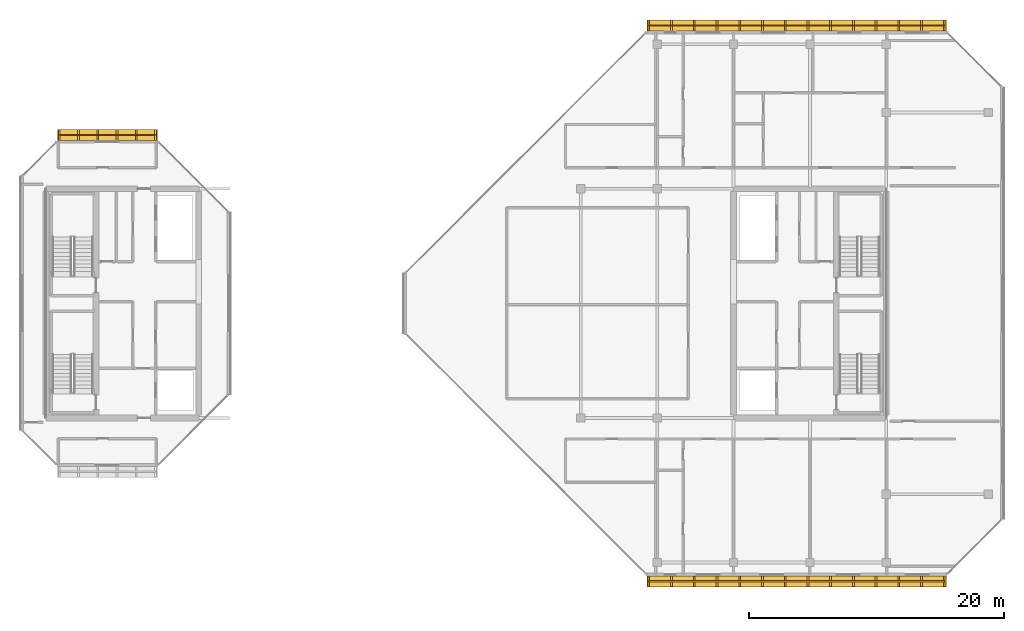
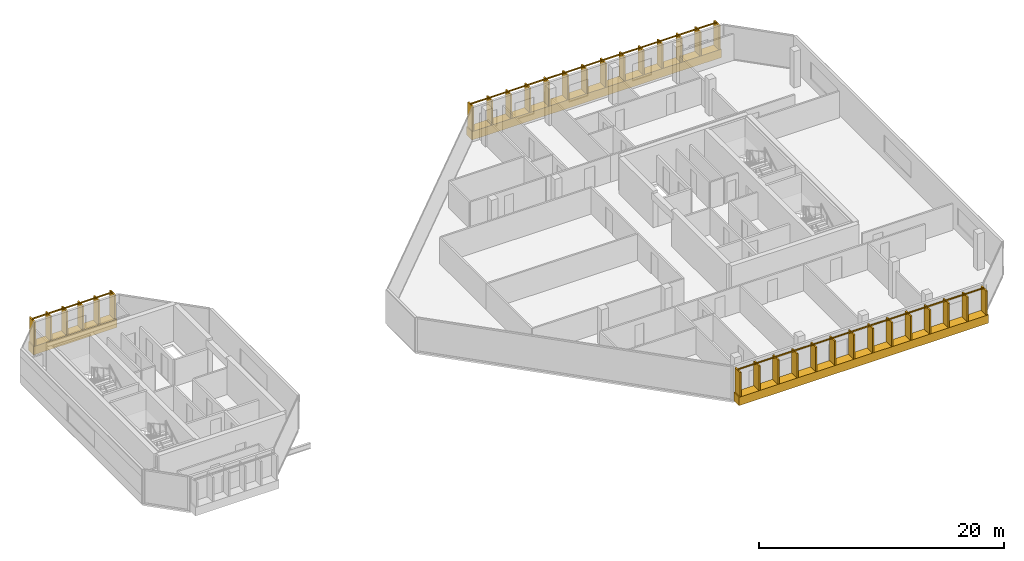
# One storey, part 27 of 28: 3 coverings, 3 railings.
"""IFC4 building model written with IfcOpenShell, lengths in metres."""

import ifcopenshell
import ifcopenshell.guid

model = None  # the IFC model being written
_history = None  # IfcOwnerHistory: only IFC2X3 demands one
_inside = {}  # id of a spatial element -> (the spatial element, [elements in it])
_under = {}  # id of a project, library or spatial element -> (it, [spatial elements below it])
_declared = {}  # id of a project -> (the project, [libraries it declares])
_typed = {}  # id of a type object -> (the type object, [elements of that type])
_made_of = {}  # id of a material, layer set ... -> (it, [elements and type objects made of it])


def new_model(schema):
    """Start an empty IFC model of exactly this schema.

    Asked for "IFC4X3", IfcOpenShell would pick the latest addendum, in which some entities
    have other attributes; the version numbers below select the first issue.
    IFC2X3 requires an IfcOwnerHistory on every rooted entity: one is made here for all.
    """
    global model, _history
    if schema == "IFC4X3":
        model = ifcopenshell.file(schema_version=(4, 3, 0, 0))
    else:
        model = ifcopenshell.file(schema=schema)
    _inside.clear()
    _under.clear()
    _declared.clear()
    _typed.clear()
    _made_of.clear()
    _history = None
    if model.schema == "IFC2X3":
        org = make("IfcOrganization", Name="unknown")
        user = make(
            "IfcPersonAndOrganization",
            ThePerson=make("IfcPerson", FamilyName="unknown"),
            TheOrganization=org,
        )
        app = make(
            "IfcApplication",
            ApplicationDeveloper=org,
            Version="unknown",
            ApplicationFullName="unknown",
            ApplicationIdentifier="unknown",
        )
        _history = make(
            "IfcOwnerHistory",
            OwningUser=user,
            OwningApplication=app,
            ChangeAction="ADDED",
            CreationDate=0,
        )
    return model


def make(cls, **values):
    """One entity of the class cls with the attributes given. An attribute that is None is left unset."""
    return model.create_entity(
        cls, **{name: value for name, value in values.items() if value is not None}
    )


def rooted(cls, **values):
    """An entity with a GlobalId (a new one), such as an element, a storey or a relation."""
    return make(cls, GlobalId=ifcopenshell.guid.new(), OwnerHistory=_history, **values)


def si_unit(unit_type, name, prefix=None):
    """IfcSIUnit, for example si_unit("LENGTHUNIT", "METRE", prefix="MILLI")."""
    return make("IfcSIUnit", UnitType=unit_type, Prefix=prefix, Name=name)


def assignment(units):
    """IfcUnitAssignment: the units of a project."""
    return None if units is None else make("IfcUnitAssignment", Units=units)


def point(xyz):
    """IfcCartesianPoint."""
    return None if xyz is None else make("IfcCartesianPoint", Coordinates=xyz)


def direction(xyz):
    """IfcDirection."""
    return None if xyz is None else make("IfcDirection", DirectionRatios=xyz)


def frame(location, z_axis=None, x_axis=None):
    """IfcAxis2Placement3D, a coordinate frame: its origin and axes. An axis left out is left unset."""
    return make(
        "IfcAxis2Placement3D",
        Location=point(location),
        Axis=direction(z_axis),
        RefDirection=direction(x_axis),
    )


def frame_2d(location, x_axis=None):
    """IfcAxis2Placement2D, a coordinate frame in the plane: its origin and x axis."""
    return make(
        "IfcAxis2Placement2D", Location=point(location), RefDirection=direction(x_axis)
    )


def origin():
    """The frame at (0, 0, 0) with its axes left unset."""
    return frame((0.0, 0.0, 0.0))


def origin_2d():
    """The frame at (0, 0) in the plane with its x axis left unset."""
    return frame_2d((0.0, 0.0))


def place(relative_to, where):
    """IfcLocalPlacement: puts the frame where relative to a parent placement (None: the world)."""
    return make(
        "IfcLocalPlacement", PlacementRelTo=relative_to, RelativePlacement=where
    )


def context(
    kind, dimensions, precision=None, world=None, true_north=None, identifier=None
):
    """IfcGeometricRepresentationContext, for example the 3D "Model" context."""
    return make(
        "IfcGeometricRepresentationContext",
        ContextIdentifier=identifier,
        ContextType=kind,
        CoordinateSpaceDimension=dimensions,
        Precision=precision,
        WorldCoordinateSystem=world,
        TrueNorth=true_north,
    )


def subcontext(parent, identifier, kind, view, scale=None):
    """IfcGeometricRepresentationSubContext, for example "Body" below "Model"."""
    return make(
        "IfcGeometricRepresentationSubContext",
        ContextIdentifier=identifier,
        ContextType=kind,
        ParentContext=parent,
        TargetScale=scale,
        TargetView=view,
    )


def project(units=None, contexts=None):
    """IfcProject with its units and contexts."""
    return rooted(
        "IfcProject",
        Name="project",
        RepresentationContexts=contexts,
        UnitsInContext=assignment(units),
    )


def spatial(cls, under=None, at=None, **own):
    """A site, building, storey or space (cls), placed at a placement, below another one or the project."""
    s = rooted(cls, ObjectPlacement=at, **own)
    if under is not None:
        _under.setdefault(under.id(), (under, []))[1].append(s)
    return s


def profile(cls, at=None, kind="AREA", **sizes):
    """A parametric profile (cls). Its sizes go by their IFC names, for example OverallWidth=200.0."""
    return make(cls, ProfileType=kind, Position=at, **sizes)


def rectangle(**sizes):
    """IfcRectangleProfileDef."""
    return profile("IfcRectangleProfileDef", **sizes)


def extrude(swept, where, along, depth):
    """IfcExtrudedAreaSolid: the profile swept, set in the frame where, extruded along a direction by depth."""
    return make(
        "IfcExtrudedAreaSolid",
        SweptArea=swept,
        Position=where,
        ExtrudedDirection=direction(along),
        Depth=depth,
    )


def shape(context_of_items, identifier, shape_type, items):
    """IfcShapeRepresentation: the items that make up one representation, for example the "Body"."""
    return make(
        "IfcShapeRepresentation",
        ContextOfItems=context_of_items,
        RepresentationIdentifier=identifier,
        RepresentationType=shape_type,
        Items=items,
    )


def material(Name=None, Category=None):
    """IfcMaterial."""
    return make("IfcMaterial", Name=Name, Category=Category)


def layer(
    of_material, thickness, ventilated=None, Name=None, Category=None, Priority=None
):
    """IfcMaterialLayer: one layer of a wall or slab, of a material (None: an air gap)."""
    return make(
        "IfcMaterialLayer",
        Material=of_material,
        LayerThickness=thickness,
        IsVentilated=ventilated,
        Name=Name,
        Category=Category,
        Priority=Priority,
    )


def layer_set(layers, Name=None):
    """IfcMaterialLayerSet."""
    return make("IfcMaterialLayerSet", MaterialLayers=layers, LayerSetName=Name)


def made_of(thing, what):
    """Note that an element or type object is made of a material, layer set ...; save() writes the relation."""
    if what is not None:
        _made_of.setdefault(what.id(), (what, []))[1].append(thing)
    return thing


def type_object(cls, material=None, **own):
    """A type object (cls), such as IfcWallType, which elements share."""
    return made_of(rooted(cls, **own), material)


def element(
    cls,
    number,
    at=None,
    inside=None,
    cuts=None,
    type_object=None,
    material=None,
    context=None,
    identifier="Body",
    shape_type=None,
    held_by="IfcProductDefinitionShape",
    body=None,
    shapes=None,
    **own,
):
    """One element of the class cls, such as IfcWall. Its Tag is "e" and its number.

    at: its placement. inside: the storey or other place that contains it. cuts: it is an
    opening in that element (IfcRelVoidsElement). A single representation is given by context,
    identifier, shape_type and body (its items); several are given by shapes. held_by: the class
    of the entity that holds the representations. save() writes the other relations.
    """
    e = rooted(cls, Tag="e%d" % number, ObjectPlacement=at, **own)
    if body is not None:
        shapes = [shape(context, identifier, shape_type, body)]
    if shapes is not None:
        e.Representation = make(held_by, Representations=shapes)
    if inside is not None:
        _inside.setdefault(inside.id(), (inside, []))[1].append(e)
    if cuts is not None:
        rooted(
            "IfcRelVoidsElement", RelatingBuildingElement=cuts, RelatedOpeningElement=e
        )
    if type_object is not None:
        _typed.setdefault(type_object.id(), (type_object, []))[1].append(e)
    return made_of(e, material)


def aggregate(whole, parts):
    """IfcRelAggregates: a whole, such as a stair, and the parts it consists of."""
    return rooted("IfcRelAggregates", RelatingObject=whole, RelatedObjects=parts)


def save(model, path):
    """Write the relations noted so far, then the file.

    IfcRelAggregates (storeys below a building ...), IfcRelContainedInSpatialStructure (elements
    in a storey), IfcRelDefinesByType, IfcRelAssociatesMaterial and IfcRelDeclares: one each for
    every whole, place, type object, material and project.
    """
    for whole, parts in _under.values():
        aggregate(whole, parts)
    for where, things in _inside.values():
        rooted(
            "IfcRelContainedInSpatialStructure",
            RelatedElements=things,
            RelatingStructure=where,
        )
    for kind, things in _typed.values():
        rooted("IfcRelDefinesByType", RelatedObjects=things, RelatingType=kind)
    for what, things in _made_of.values():
        rooted("IfcRelAssociatesMaterial", RelatedObjects=things, RelatingMaterial=what)
    for by, libraries in _declared.values():
        rooted("IfcRelDeclares", RelatingContext=by, RelatedDefinitions=libraries)
    model.write(path)


model = new_model("IFC4")

# Units and contexts
model_context = context("Model", 3, precision=1e-05, world=origin(), true_north=direction((0.0, 1.0)))
body_context = subcontext(model_context, "Body", "Model", "MODEL_VIEW")
ifc_project = project(units=[si_unit("LENGTHUNIT", "METRE"), si_unit("AREAUNIT", "SQUARE_METRE"), si_unit("VOLUMEUNIT", "CUBIC_METRE"), si_unit("PLANEANGLEUNIT", "RADIAN"), si_unit("MASSUNIT", "GRAM", prefix="KILO")], contexts=[model_context])

# Site, building, storey
site_placement = place(None, origin())
site = spatial("IfcSite", under=ifc_project, at=site_placement, CompositionType="ELEMENT")
building_placement = place(site_placement, origin())
building = spatial("IfcBuilding", under=site, at=building_placement, Name="Tanjung Sevakor Pilgrim Tower", CompositionType="ELEMENT")
storey_placement = place(building_placement, frame((0.0, 0.0, 242.550048828125)))
storey = spatial("IfcBuildingStorey", under=building, at=storey_placement, Name="L68", CompositionType="ELEMENT", Elevation=242.550048828125)

# Coverings
ifc_material_1 = material(Name="Reconstructed Limestone Cladding", Category="masonry")
ifc_layer = layer(ifc_material_1, 0.044921875)
ifc_layer_set = layer_set([ifc_layer], Name="COV-CLAD-LIMESTONE")
covering_type = type_object("IfcCoveringType", Name="COV-CLAD-LIMESTONE", PredefinedType="CLADDING", material=ifc_layer_set)
covering_placement = place(storey_placement, frame((28.824951171875, 46.830078125, 0.009765625), z_axis=(0.0, 0.0, 1.0), x_axis=(-1.0, 0.0, 0.0)))
element("IfcCovering", 1, at=covering_placement, inside=storey, type_object=covering_type, Name="L68 Warm Limestone Sill Spandrel EW-L68-WEST-5-1", PredefinedType="CLADDING", context=body_context, shape_type="SweptSolid", body=[
    extrude(rectangle(XDim=7.87890625, YDim=0.860107421875, at=origin_2d()), origin(), (0.0, 0.0, 1.0), 0.840087890625),
])
for number, where, z_axis, x_axis, name in (
    (2, (82.949951171875, 11.77001953125, 0.009765625), (0.0, 0.0, 1.0), (1.0, 0.0, 0.0), "L68 Warm Limestone Sill Spandrel EW-L68-EAST-1-1"),
    (3, (82.949951171875, 55.429931640625, 0.009765625), (0.0, 0.0, 1.0), (-1.0, 0.0, 0.0), "L68 Warm Limestone Sill Spandrel EW-L68-EAST-5-1"),
):
    element("IfcCovering", number, at=place(storey_placement, frame(where, z_axis=z_axis, x_axis=x_axis)), inside=storey, type_object=covering_type, Name=name, PredefinedType="CLADDING", context=body_context, shape_type="SweptSolid", body=[
        extrude(rectangle(XDim=23.52880859375, YDim=0.860107421875, at=origin_2d()), origin(), (0.0, 0.0, 1.0), 0.840087890625),
    ])

# Railings
ifc_material_2 = material(Name="Anodised Bronze Aluminium 6063-T6", Category="aluminium")
railing_type = type_object("IfcRailingType", Name="RL-FIN-SCREEN", PredefinedType="BALUSTRADE", material=ifc_material_2)
railing_1_placement = place(storey_placement, frame((32.6044921875, 46.824951171875, 0.83984375)))
element("IfcRailing", 4, at=railing_1_placement, inside=storey, type_object=railing_type, Name="L68 Vertical Bronze-Gold Solar Fin Screen FNSCR-EW-L68-WEST-5-1", PredefinedType="BALUSTRADE", context=body_context, shape_type="SweptSolid", body=[
    extrude(rectangle(XDim=0.105, YDim=0.105), frame((0.0, 0.0, 2.487548828125), z_axis=(-1.0, 0.0, 0.0), x_axis=(0.0, -1.0, 0.0)), (0.0, 0.0, 1.0), 7.558837890625),
    extrude(rectangle(XDim=0.14, YDim=0.85), origin(), (0.0, 0.0, 1.0), 2.43505859375),
    extrude(rectangle(XDim=0.14, YDim=0.85), frame((-1.51171875, 0.0, 0.0)), (0.0, 0.0, 1.0), 2.43505859375),
    extrude(rectangle(XDim=0.14, YDim=0.85), frame((-3.0234375, 0.0, 0.0)), (0.0, 0.0, 1.0), 2.43505859375),
    extrude(rectangle(XDim=0.14, YDim=0.85), frame((-4.535400390625, 0.0, 0.0)), (0.0, 0.0, 1.0), 2.43505859375),
    extrude(rectangle(XDim=0.14, YDim=0.85), frame((-6.047119140625, 0.0, 0.0)), (0.0, 0.0, 1.0), 2.43505859375),
    extrude(rectangle(XDim=0.14, YDim=0.85), frame((-7.558837890625, 0.0, 0.0)), (0.0, 0.0, 1.0), 2.43505859375),
])
railing_2_placement = place(storey_placement, frame((71.345703125, 11.77490234375, 0.83984375)))
element("IfcRailing", 5, at=railing_2_placement, inside=storey, type_object=railing_type, Name="L68 Vertical Bronze-Gold Solar Fin Screen FNSCR-EW-L68-EAST-1-1", PredefinedType="BALUSTRADE", context=body_context, shape_type="SweptSolid", body=[
    extrude(rectangle(XDim=0.105, YDim=0.105), frame((0.0, 0.0, 2.487548828125), z_axis=(1.0, 0.0, 0.0), x_axis=(0.0, 1.0, 0.0)), (0.0, 0.0, 1.0), 23.208740234375),
    extrude(rectangle(XDim=0.14, YDim=0.85), origin(), (0.0, 0.0, 1.0), 2.43505859375),
    extrude(rectangle(XDim=0.14, YDim=0.85), frame((1.785400390625, 0.0, 0.0)), (0.0, 0.0, 1.0), 2.43505859375),
    extrude(rectangle(XDim=0.14, YDim=0.85), frame((3.570556640625, 0.0, 0.0)), (0.0, 0.0, 1.0), 2.43505859375),
    extrude(rectangle(XDim=0.14, YDim=0.85), frame((5.35595703125, 0.0, 0.0)), (0.0, 0.0, 1.0), 2.43505859375),
    extrude(rectangle(XDim=0.14, YDim=0.85), frame((7.14111328125, 0.0, 0.0)), (0.0, 0.0, 1.0), 2.43505859375),
    extrude(rectangle(XDim=0.14, YDim=0.85), frame((8.926513671875, 0.0, 0.0)), (0.0, 0.0, 1.0), 2.43505859375),
    extrude(rectangle(XDim=0.14, YDim=0.85), frame((10.711669921875, 0.0, 0.0)), (0.0, 0.0, 1.0), 2.43505859375),
    extrude(rectangle(XDim=0.14, YDim=0.85), frame((12.4970703125, 0.0, 0.0)), (0.0, 0.0, 1.0), 2.43505859375),
    extrude(rectangle(XDim=0.14, YDim=0.85), frame((14.2822265625, 0.0, 0.0)), (0.0, 0.0, 1.0), 2.43505859375),
    extrude(rectangle(XDim=0.14, YDim=0.85), frame((16.067626953125, 0.0, 0.0)), (0.0, 0.0, 1.0), 2.43505859375),
    extrude(rectangle(XDim=0.14, YDim=0.85), frame((17.852783203125, 0.0, 0.0)), (0.0, 0.0, 1.0), 2.43505859375),
    extrude(rectangle(XDim=0.14, YDim=0.85), frame((19.63818359375, 0.0, 0.0)), (0.0, 0.0, 1.0), 2.43505859375),
    extrude(rectangle(XDim=0.14, YDim=0.85), frame((21.42333984375, 0.0, 0.0)), (0.0, 0.0, 1.0), 2.43505859375),
    extrude(rectangle(XDim=0.14, YDim=0.85), frame((23.208740234375, 0.0, 0.0)), (0.0, 0.0, 1.0), 2.43505859375),
])
railing_3_placement = place(storey_placement, frame((94.554443359375, 55.425048828125, 0.83984375)))
element("IfcRailing", 6, at=railing_3_placement, inside=storey, type_object=railing_type, Name="L68 Vertical Bronze-Gold Solar Fin Screen FNSCR-EW-L68-EAST-5-1", PredefinedType="BALUSTRADE", context=body_context, shape_type="SweptSolid", body=[
    extrude(rectangle(XDim=0.105, YDim=0.105), frame((0.0, 0.0, 2.487548828125), z_axis=(-1.0, 0.0, 0.0), x_axis=(0.0, -1.0, 0.0)), (0.0, 0.0, 1.0), 23.208740234375),
    extrude(rectangle(XDim=0.14, YDim=0.85), origin(), (0.0, 0.0, 1.0), 2.43505859375),
    extrude(rectangle(XDim=0.14, YDim=0.85), frame((-1.785400390625, 0.0, 0.0)), (0.0, 0.0, 1.0), 2.43505859375),
    extrude(rectangle(XDim=0.14, YDim=0.85), frame((-3.570556640625, 0.0, 0.0)), (0.0, 0.0, 1.0), 2.43505859375),
    extrude(rectangle(XDim=0.14, YDim=0.85), frame((-5.35595703125, 0.0, 0.0)), (0.0, 0.0, 1.0), 2.43505859375),
    extrude(rectangle(XDim=0.14, YDim=0.85), frame((-7.14111328125, 0.0, 0.0)), (0.0, 0.0, 1.0), 2.43505859375),
    extrude(rectangle(XDim=0.14, YDim=0.85), frame((-8.926513671875, 0.0, 0.0)), (0.0, 0.0, 1.0), 2.43505859375),
    extrude(rectangle(XDim=0.14, YDim=0.85), frame((-10.711669921875, 0.0, 0.0)), (0.0, 0.0, 1.0), 2.43505859375),
    extrude(rectangle(XDim=0.14, YDim=0.85), frame((-12.4970703125, 0.0, 0.0)), (0.0, 0.0, 1.0), 2.43505859375),
    extrude(rectangle(XDim=0.14, YDim=0.85), frame((-14.2822265625, 0.0, 0.0)), (0.0, 0.0, 1.0), 2.43505859375),
    extrude(rectangle(XDim=0.14, YDim=0.85), frame((-16.067626953125, 0.0, 0.0)), (0.0, 0.0, 1.0), 2.43505859375),
    extrude(rectangle(XDim=0.14, YDim=0.85), frame((-17.852783203125, 0.0, 0.0)), (0.0, 0.0, 1.0), 2.43505859375),
    extrude(rectangle(XDim=0.14, YDim=0.85), frame((-19.63818359375, 0.0, 0.0)), (0.0, 0.0, 1.0), 2.43505859375),
    extrude(rectangle(XDim=0.14, YDim=0.85), frame((-21.42333984375, 0.0, 0.0)), (0.0, 0.0, 1.0), 2.43505859375),
    extrude(rectangle(XDim=0.14, YDim=0.85), frame((-23.208740234375, 0.0, 0.0)), (0.0, 0.0, 1.0), 2.43505859375),
])

save(model, "model.ifc")
